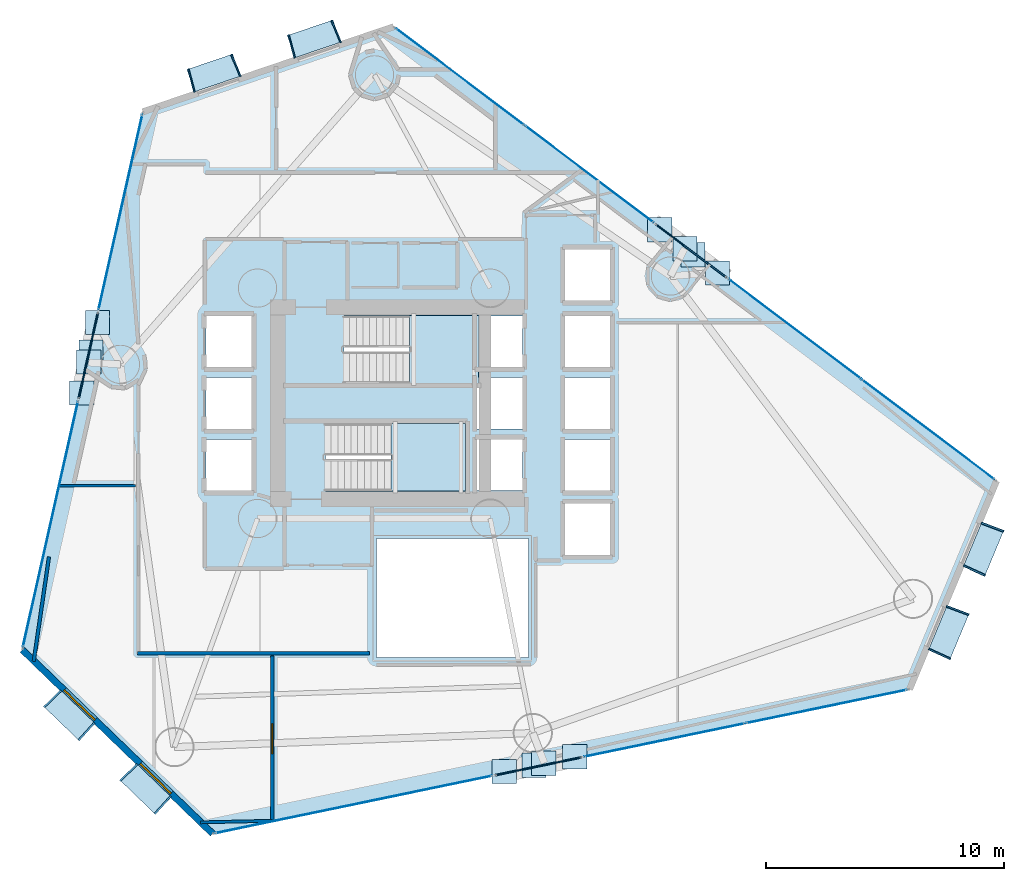
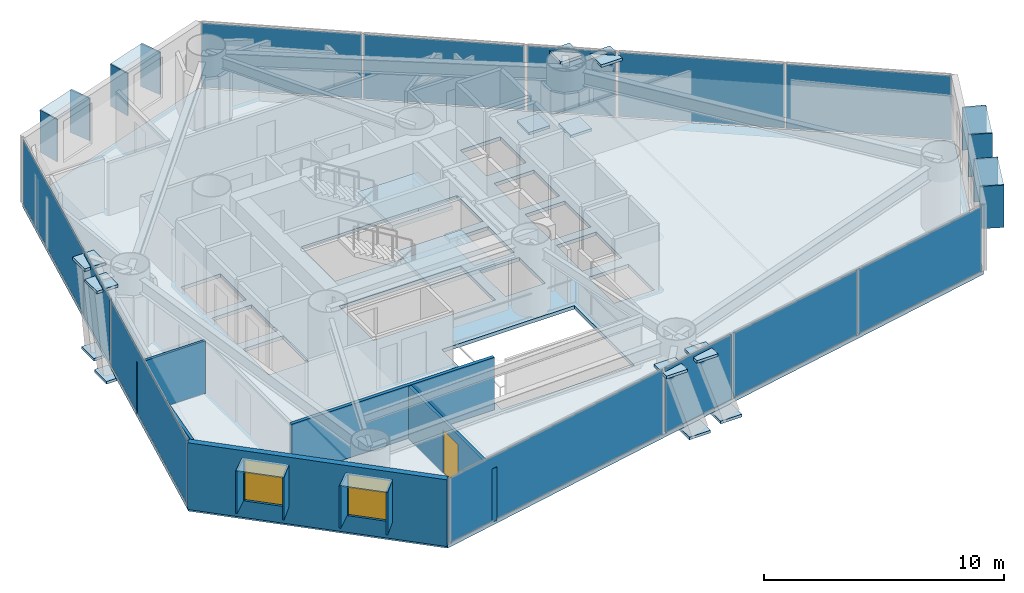
# One storey, part 15 of 22: 42 plates, 6 walls, 3 slabs, 2 windows, 1 door, 3 openings, 11 elements without a shape of their own.
"""IFC4 building model written with IfcOpenShell, lengths in metres."""

from ifc_helpers import new_model, si_unit, direction, frame, frame_2d, origin, origin_2d, place, context, subcontext, project, spatial, polyline, rectangle, outline, extrude, material, layer, layer_set, type_object, element, fill, aggregate, save


model = new_model("IFC4")

# Units and contexts
model_context = context("Model", 3, precision=1e-05, world=origin(), true_north=direction((0.0, 1.0)))
body_context = subcontext(model_context, "Body", "Model", "MODEL_VIEW")
ifc_project = project(units=[si_unit("LENGTHUNIT", "METRE"), si_unit("AREAUNIT", "SQUARE_METRE"), si_unit("VOLUMEUNIT", "CUBIC_METRE"), si_unit("PLANEANGLEUNIT", "RADIAN"), si_unit("MASSUNIT", "GRAM", prefix="KILO")], contexts=[model_context])

# Site, building, storey
site_placement = place(None, origin())
site = spatial("IfcSite", under=ifc_project, at=site_placement, CompositionType="ELEMENT")
building_placement = place(site_placement, origin())
building = spatial("IfcBuilding", under=site, at=building_placement, Name="Qianvela Tower", CompositionType="ELEMENT")
storey_placement = place(building_placement, frame((0.0, 0.0, 89.5)))
storey = spatial("IfcBuildingStorey", under=building, at=storey_placement, Name="L22", CompositionType="ELEMENT", Elevation=89.5)

# Curtain wall, plate
ifc_material_1 = material(Name="Anodised Architectural Aluminium and Insulated Spandrel Panel", Category="aluminium")
ifc_layer_1 = layer(ifc_material_1, 0.179931640625)
ifc_layer_set_1 = layer_set([ifc_layer_1], Name="Anodised Architectural Aluminium and Insulated Spandrel Panel")
curtain_wall_type_1 = type_object("IfcCurtainWallType", Name="CW-BRACEBAY", PredefinedType="USERDEFINED", material=ifc_layer_set_1)
curtain_wall_1_placement = place(storey_placement, origin())
curtain_wall_1 = element("IfcCurtainWall", 1, at=curtain_wall_1_placement, inside=storey, type_object=curtain_wall_type_1, Name="L22 CW-BRACEBAY Curtain Wall 02B", ObjectType="CURTAIN_WALL_SYSTEM", PredefinedType="USERDEFINED")
ifc_material_2 = material(Name="Insulated Aluminium Spandrel Panel with Mineral-Wool Backpan", Category="aluminium")
ifc_layer_2 = layer(ifc_material_2, 0.06005859375)
ifc_layer_set_2 = layer_set([ifc_layer_2], Name="Insulated Aluminium Spandrel Panel with Mineral-Wool Backpan")
plate_type_1 = type_object("IfcPlateType", Name="CW-BRACEBAY-PNL", PredefinedType="CURTAIN_PANEL", material=ifc_layer_set_2)
plate_1_placement = place(storey_placement, frame((46.857177734375, 35.117431640625, 0.06494140625), z_axis=(0.0, 0.0, 1.0), x_axis=(-0.798700992028, 0.601728115791, 0.0)))
plate_1 = element("IfcPlate", 2, at=plate_1_placement, type_object=plate_type_1, Name="CW-9 panel 1.1", PredefinedType="CURTAIN_PANEL", context=body_context, shape_type="SweptSolid", body=[
    extrude(rectangle(XDim=3.699951171875, YDim=0.06005859375, at=origin_2d()), origin(), (0.0, 0.0, 1.0), 3.27001953125),
])
aggregate(curtain_wall_1, [plate_1])

curtain_wall_2_placement = place(storey_placement, origin())
curtain_wall_2 = element("IfcCurtainWall", 3, at=curtain_wall_2_placement, inside=storey, type_object=curtain_wall_type_1, Name="L22 CW-BRACEBAY Curtain Wall 04B", ObjectType="CURTAIN_WALL_SYSTEM", PredefinedType="USERDEFINED")
plate_2_placement = place(storey_placement, frame((21.474365234375, 30.706298828125, 0.06494140625), z_axis=(0.0, 0.0, 1.0), x_axis=(-0.218823192416, -0.975764526134, 0.0)))
plate_2 = element("IfcPlate", 4, at=plate_2_placement, type_object=plate_type_1, Name="CW-9 panel 1.1", PredefinedType="CURTAIN_PANEL", context=body_context, shape_type="SweptSolid", body=[
    extrude(rectangle(XDim=3.68994140625, YDim=0.06005859375, at=origin_2d()), origin(), (0.0, 0.0, 1.0), 3.27001953125),
])
aggregate(curtain_wall_2, [plate_2])

curtain_wall_3_placement = place(storey_placement, origin())
curtain_wall_3 = element("IfcCurtainWall", 5, at=curtain_wall_3_placement, inside=storey, type_object=curtain_wall_type_1, Name="L22 CW-BRACEBAY Curtain Wall 06B", ObjectType="CURTAIN_WALL_SYSTEM", PredefinedType="USERDEFINED")
plate_3_placement = place(storey_placement, frame((40.420654296875, 13.41845703125, 0.06494140625), z_axis=(0.0, 0.0, 1.0), x_axis=(0.979177057652, 0.203008102716, 0.0)))
plate_3 = element("IfcPlate", 6, at=plate_3_placement, type_object=plate_type_1, Name="CW-9 panel 1.1", PredefinedType="CURTAIN_PANEL", context=body_context, shape_type="SweptSolid", body=[
    extrude(rectangle(XDim=3.68994140625, YDim=0.06005859375, at=origin_2d()), origin(), (0.0, 0.0, 1.0), 3.27001953125),
])
aggregate(curtain_wall_3, [plate_3])

# Curtain wall, plates
ifc_material_3 = material(Name="Anodised Architectural Aluminium and Low-E Glass", Category="aluminium")
ifc_layer_3 = layer(ifc_material_3, 0.179931640625)
ifc_layer_set_3 = layer_set([ifc_layer_3], Name="Anodised Architectural Aluminium and Low-E Glass")
curtain_wall_type_2 = type_object("IfcCurtainWallType", Name="CW-COLIV-Z12", PredefinedType="USERDEFINED", material=ifc_layer_set_3)
curtain_wall_4_placement = place(storey_placement, origin())
curtain_wall_4 = element("IfcCurtainWall", 7, at=curtain_wall_4_placement, inside=storey, type_object=curtain_wall_type_2, Name="L22 CW-COLIV-Z12 Curtain Wall 02A", ObjectType="CURTAIN_WALL_SYSTEM", PredefinedType="USERDEFINED")
ifc_material_4 = material(Name="Double-Silver Low-E Insulated Glass", Category="glass")
ifc_layer_4 = layer(ifc_material_4, 0.030029296875)
ifc_layer_set_4 = layer_set([ifc_layer_4], Name="Double-Silver Low-E Insulated Glass")
plate_type_2 = type_object("IfcPlateType", Name="CW-COLIV-Z12-PNL", PredefinedType="CURTAIN_PANEL", material=ifc_layer_set_4)
plate_4_placement = place(storey_placement, frame((56.8369140625, 27.59912109375, 0.06494140625), z_axis=(0.0, 0.0, 1.0), x_axis=(-0.798708986216, 0.601717504597, 0.0)))
plate_4 = element("IfcPlate", 8, at=plate_4_placement, type_object=plate_type_2, Name="CW-3 panel 1.1", PredefinedType="CURTAIN_PANEL", context=body_context, shape_type="SweptSolid", body=[
    extrude(rectangle(XDim=6.9599609375, YDim=0.030029296875, at=origin_2d()), origin(), (0.0, 0.0, 1.0), 3.27001953125),
])
plate_5_placement = place(storey_placement, frame((51.221923828125, 31.8291015625, 0.06494140625), z_axis=(0.0, 0.0, 1.0), x_axis=(-0.798708986216, 0.601717504597, 0.0)))
plate_5 = element("IfcPlate", 9, at=plate_5_placement, type_object=plate_type_2, Name="CW-3 panel 2.1", PredefinedType="CURTAIN_PANEL", context=body_context, shape_type="SweptSolid", body=[
    extrude(rectangle(XDim=6.9599609375, YDim=0.030029296875, at=origin_2d()), origin(), (0.0, 0.0, 1.0), 3.27001953125),
])
aggregate(curtain_wall_4, [plate_4, plate_5])

curtain_wall_5_placement = place(storey_placement, origin())
curtain_wall_5 = element("IfcCurtainWall", 10, at=curtain_wall_5_placement, inside=storey, type_object=curtain_wall_type_2, Name="L22 CW-COLIV-Z12 Curtain Wall 02C", ObjectType="CURTAIN_WALL_SYSTEM", PredefinedType="USERDEFINED")
plate_6_placement = place(storey_placement, frame((42.57470703125, 38.34375, 0.06494140625), z_axis=(0.0, 0.0, 1.0), x_axis=(-0.798712151136, 0.601713303516, 0.0)))
plate_6 = element("IfcPlate", 11, at=plate_6_placement, type_object=plate_type_2, Name="CW-3 panel 1.1", PredefinedType="CURTAIN_PANEL", context=body_context, shape_type="SweptSolid", body=[
    extrude(rectangle(XDim=6.75341796875, YDim=0.030029296875, at=origin_2d()), origin(), (0.0, 0.0, 1.0), 3.27001953125),
])
plate_7_placement = place(storey_placement, frame((37.124755859375, 42.449462890625, 0.06494140625), z_axis=(0.0, 0.0, 1.0), x_axis=(-0.798712151136, 0.601713303516, 0.0)))
plate_7 = element("IfcPlate", 12, at=plate_7_placement, type_object=plate_type_2, Name="CW-3 panel 2.1", PredefinedType="CURTAIN_PANEL", context=body_context, shape_type="SweptSolid", body=[
    extrude(rectangle(XDim=6.75341796875, YDim=0.030029296875, at=origin_2d()), origin(), (0.0, 0.0, 1.0), 3.27001953125),
])
aggregate(curtain_wall_5, [plate_6, plate_7])

# Curtain wall, plate
curtain_wall_6_placement = place(storey_placement, origin())
curtain_wall_6 = element("IfcCurtainWall", 13, at=curtain_wall_6_placement, inside=storey, type_object=curtain_wall_type_2, Name="L22 CW-COLIV-Z12 Curtain Wall 04A", ObjectType="CURTAIN_WALL_SYSTEM", PredefinedType="USERDEFINED")
plate_8_placement = place(storey_placement, frame((22.828857421875, 36.74609375, 0.06494140625), z_axis=(0.0, 0.0, 1.0), x_axis=(-0.218832470822, -0.975762445329, 0.0)))
plate_8 = element("IfcPlate", 14, at=plate_8_placement, type_object=plate_type_2, Name="CW-3 panel 1.1", PredefinedType="CURTAIN_PANEL", context=body_context, shape_type="SweptSolid", body=[
    extrude(rectangle(XDim=8.419921875, YDim=0.030029296875, at=origin_2d()), origin(), (0.0, 0.0, 1.0), 3.27001953125),
])
aggregate(curtain_wall_6, [plate_8])

curtain_wall_7_placement = place(storey_placement, origin())
curtain_wall_7 = element("IfcCurtainWall", 15, at=curtain_wall_7_placement, inside=storey, type_object=curtain_wall_type_2, Name="L22 CW-COLIV-Z12 Curtain Wall 04C", ObjectType="CURTAIN_WALL_SYSTEM", PredefinedType="USERDEFINED")
plate_9_placement = place(storey_placement, frame((19.88232421875, 23.607177734375, 0.06494140625), z_axis=(0.0, 0.0, 1.0), x_axis=(-0.218830479881, -0.975762891831, 0.0)))
plate_9 = element("IfcPlate", 16, at=plate_9_placement, type_object=plate_type_2, Name="CW-3 panel 1.1", PredefinedType="CURTAIN_PANEL", context=body_context, shape_type="SweptSolid", body=[
    extrude(rectangle(XDim=10.590576171875, YDim=0.030029296875, at=origin_2d()), origin(), (0.0, 0.0, 1.0), 3.27001953125),
])
aggregate(curtain_wall_7, [plate_9])

curtain_wall_8_placement = place(storey_placement, origin())
curtain_wall_8 = element("IfcCurtainWall", 17, at=curtain_wall_8_placement, inside=storey, type_object=curtain_wall_type_2, Name="L22 CW-COLIV-Z12 Curtain Wall 06A", ObjectType="CURTAIN_WALL_SYSTEM", PredefinedType="USERDEFINED")
plate_10_placement = place(storey_placement, frame((32.65576171875, 11.80859375, 0.06494140625), z_axis=(0.0, 0.0, 1.0), x_axis=(0.979177033374, 0.203008219816, 0.0)))
plate_10 = element("IfcPlate", 18, at=plate_10_placement, type_object=plate_type_2, Name="CW-3 panel 1.1", PredefinedType="CURTAIN_PANEL", context=body_context, shape_type="SweptSolid", body=[
    extrude(rectangle(XDim=11.89990234375, YDim=0.030029296875, at=origin_2d()), origin(), (0.0, 0.0, 1.0), 3.27001953125),
])
aggregate(curtain_wall_8, [plate_10])

# Curtain wall, plates
curtain_wall_9_placement = place(storey_placement, origin())
curtain_wall_9 = element("IfcCurtainWall", 19, at=curtain_wall_9_placement, inside=storey, type_object=curtain_wall_type_2, Name="L22 CW-COLIV-Z12 Curtain Wall 06C", ObjectType="CURTAIN_WALL_SYSTEM", PredefinedType="USERDEFINED")
plate_11_placement = place(storey_placement, frame((45.735107421875, 14.520263671875, 0.06494140625), z_axis=(0.0, 0.0, 1.0), x_axis=(0.979177899565, 0.203004041838, 0.0)))
plate_11 = element("IfcPlate", 20, at=plate_11_placement, type_object=plate_type_2, Name="CW-3 panel 1.1", PredefinedType="CURTAIN_PANEL", context=body_context, shape_type="SweptSolid", body=[
    extrude(rectangle(XDim=6.89501953125, YDim=0.030029296875, at=origin_2d()), origin(), (0.0, 0.0, 1.0), 3.27001953125),
])
plate_12_placement = place(storey_placement, frame((52.55517578125, 15.934326171875, 0.06494140625), z_axis=(0.0, 0.0, 1.0), x_axis=(0.979177899565, 0.203004041838, 0.0)))
plate_12 = element("IfcPlate", 21, at=plate_12_placement, type_object=plate_type_2, Name="CW-3 panel 2.1", PredefinedType="CURTAIN_PANEL", context=body_context, shape_type="SweptSolid", body=[
    extrude(rectangle(XDim=6.89501953125, YDim=0.030029296875, at=origin_2d()), origin(), (0.0, 0.0, 1.0), 3.27001953125),
])
aggregate(curtain_wall_9, [plate_11, plate_12])

# Plates
ifc_material_5 = material(Name="Steel Q420GJC", Category="steel")
ifc_layer_5 = layer(ifc_material_5, 0.139892578125)
ifc_layer_set_5 = layer_set([ifc_layer_5], Name="Steel Q420GJC")
plate_type_3 = type_object("IfcPlateType", Name="PT-GUSSET-NODE-140", PredefinedType="USERDEFINED", material=ifc_layer_set_5)
for number, where, z_axis, x_axis, name in (
    (22, (46.937744140625, 34.95654296875, -0.66357421875), (0.0, 0.0, 1.0), (1.0, 0.0, 0.0), "L22 Node Gusset Plate A"),
    (23, (47.962890625, 34.18408203125, 3.03955078125), (0.0, 0.0, 1.0), (1.0, 0.0, 0.0), "L22 Node Gusset Plate B"),
    (24, (45.53759765625, 36.011474609375, -0.6630859375), (0.0, 0.0, 1.0), (1.0, 0.0, 0.0), "L22 Node Gusset Plate A"),
    (25, (46.603515625, 35.208251953125, 3.0390625), (0.0, 0.0, 1.0), (1.0, 0.0, 0.0), "L22 Node Gusset Plate B"),
    (26, (21.58740234375, 30.845458984375, -0.66357421875), (0.0, 0.0, 1.0), (1.0, 0.0, 0.0), "L22 Node Gusset Plate A"),
    (27, (21.868408203125, 32.096923828125, 3.03955078125), (0.0, 0.0, 1.0), (1.0, 0.0, 0.0), "L22 Node Gusset Plate B"),
    (28, (21.2041015625, 29.134765625, -0.6630859375), (0.0, 0.0, 1.0), (1.0, 0.0, 0.0), "L22 Node Gusset Plate A"),
    (29, (21.49560546875, 30.43603515625, 3.0390625), (0.0, 0.0, 1.0), (1.0, 0.0, 0.0), "L22 Node Gusset Plate B"),
    (30, (40.243408203125, 13.46337890625, -0.66357421875), (0.0, 0.0, 1.0), (1.0, 0.0, 0.0), "L22 Node Gusset Plate A"),
    (31, (38.98779296875, 13.203125, 3.03955078125), (0.0, 0.0, 1.0), (1.0, 0.0, 0.0), "L22 Node Gusset Plate B"),
    (32, (41.9599609375, 13.8193359375, -0.6630859375), (0.0, 0.0, 1.0), (1.0, 0.0, 0.0), "L22 Node Gusset Plate A"),
    (33, (40.654541015625, 13.548583984375, 3.0390625), (0.0, 0.0, 1.0), (1.0, 0.0, 0.0), "L22 Node Gusset Plate B"),
):
    element("IfcPlate", number, at=place(storey_placement, frame(where, z_axis=z_axis, x_axis=x_axis)), inside=storey, type_object=plate_type_3, Name=name, ObjectType="GUSSET_PLATE", PredefinedType="USERDEFINED", context=body_context, shape_type="SweptSolid", body=[
        extrude(rectangle(XDim=1.02001953125, YDim=1.02001953125, at=origin_2d()), origin(), (0.0, 0.0, 1.0), 0.139892578125),
    ])

# Slab
ifc_material_6 = material(Name="Concrete C40", Category="concrete")
ifc_layer_6 = layer(ifc_material_6, 0.179931640625)
ifc_layer_set_6 = layer_set([ifc_layer_6], Name="Concrete C40")
slab_type_1 = type_object("IfcSlabType", Name="SL-FLOOR-180", PredefinedType="FLOOR", material=ifc_layer_set_6)
slab_1_placement = place(storey_placement, frame((0.0, 0.0, -0.179931640625)))
element("IfcSlab", 34, at=slab_1_placement, inside=storey, type_object=slab_type_1, Name="L22 Composite Structural Floor Slab", PredefinedType="FLOOR", context=body_context, shape_type="SweptSolid", body=[
    extrude(outline(polyline([(56.048583984375, 16.658447265625), (59.71240234375, 25.432861328125), (34.331787109375, 44.553466796875), (23.7763671875, 40.97119140625), (18.697265625, 18.322998046875), (26.712158203125, 10.576416015625), (56.048583984375, 16.658447265625)]), holes=[polyline([(40.0, 23.0), (33.60009765625, 23.0), (33.60009765625, 18.0), (40.0, 18.0), (40.0, 23.0)]), polyline([(28.360107421875, 25.02001953125), (28.360107421875, 27.179931640625), (26.43994140625, 27.179931640625), (26.43994140625, 25.02001953125), (28.360107421875, 25.02001953125)]), polyline([(37.35009765625, 25.0), (37.35009765625, 27.860107421875), (31.469970703125, 27.860107421875), (31.469970703125, 25.0), (37.35009765625, 25.0)]), polyline([(28.360107421875, 27.6201171875), (28.360107421875, 29.780029296875), (26.43994140625, 29.780029296875), (26.43994140625, 27.6201171875), (28.360107421875, 27.6201171875)]), polyline([(37.89990234375, 32.3798828125), (37.89990234375, 32.39990234375), (32.25, 32.39990234375), (32.25, 29.5400390625), (37.840087890625, 29.5400390625), (37.840087890625, 27.6201171875), (39.760009765625, 27.6201171875), (39.760009765625, 29.780029296875), (37.89990234375, 29.780029296875), (37.89990234375, 30.219970703125), (39.760009765625, 30.219970703125), (39.760009765625, 32.3798828125), (37.89990234375, 32.3798828125)]), polyline([(28.360107421875, 30.219970703125), (28.360107421875, 32.3798828125), (26.43994140625, 32.3798828125), (26.43994140625, 30.219970703125), (28.360107421875, 30.219970703125)]), polyline([(43.4599609375, 24.47998046875), (41.5400390625, 24.47998046875), (41.5400390625, 22.320068359375), (43.4599609375, 22.320068359375), (43.4599609375, 24.47998046875)]), polyline([(39.760009765625, 25.02001953125), (39.760009765625, 27.179931640625), (37.840087890625, 27.179931640625), (37.840087890625, 25.02001953125), (39.760009765625, 25.02001953125)]), polyline([(43.4599609375, 25.02001953125), (43.4599609375, 27.179931640625), (41.5400390625, 27.179931640625), (41.5400390625, 25.02001953125), (43.4599609375, 25.02001953125)]), polyline([(43.4599609375, 27.6201171875), (43.4599609375, 29.780029296875), (41.5400390625, 29.780029296875), (41.5400390625, 27.6201171875), (43.4599609375, 27.6201171875)]), polyline([(43.4599609375, 30.219970703125), (43.4599609375, 32.3798828125), (41.5400390625, 32.3798828125), (41.5400390625, 30.219970703125), (43.4599609375, 30.219970703125)]), polyline([(43.4599609375, 33.02001953125), (43.4599609375, 35.179931640625), (41.5400390625, 35.179931640625), (41.5400390625, 33.02001953125), (43.4599609375, 33.02001953125)])]), origin(), (0.0, 0.0, 1.0), 0.179931640625),
])

# Stair, slab
ifc_material_7 = material(Name="Concrete C40", Category="concrete")
stair_type = type_object("IfcStairType", Name="ST-DOGLEG-1350-R168-N22", PredefinedType="HALF_TURN_STAIR", material=ifc_material_7)
stair_1_placement = place(storey_placement, origin())
stair_1 = element("IfcStair", 35, at=stair_1_placement, inside=storey, type_object=stair_type, Name="L22 Smoke-Proof Core Stair ST-1", PredefinedType="HALF_TURN_STAIR")
ifc_material_8 = material(Name="Concrete C40", Category="concrete")
ifc_layer_7 = layer(ifc_material_8, 0.199951171875)
ifc_layer_set_7 = layer_set([ifc_layer_7], Name="Concrete C40")
slab_type_2 = type_object("IfcSlabType", Name="SL-STAIR-LANDING-200", PredefinedType="LANDING", material=ifc_layer_set_7)
slab_2_placement = place(storey_placement, frame((0.0, 0.0, 1.64990234375)))
slab_2 = element("IfcSlab", 36, at=slab_2_placement, type_object=slab_type_2, Name="ST-1 landing 1", PredefinedType="LANDING", context=body_context, shape_type="SweptSolid", body=[
    extrude(outline(polyline([(35.0, 29.5400390625), (37.89990234375, 29.5400390625), (37.89990234375, 32.39990234375), (35.0, 32.39990234375), (35.0, 29.5400390625)])), origin(), (0.0, 0.0, 1.0), 0.2001953125),
])
aggregate(stair_1, [slab_2])

stair_2_placement = place(storey_placement, origin())
stair_2 = element("IfcStair", 37, at=stair_2_placement, inside=storey, type_object=stair_type, Name="L22 Smoke-Proof Core Stair ST-2", PredefinedType="HALF_TURN_STAIR")
slab_3_placement = place(storey_placement, frame((0.0, 0.0, 1.64990234375)))
slab_3 = element("IfcSlab", 38, at=slab_3_placement, type_object=slab_type_2, Name="ST-2 landing 1", PredefinedType="LANDING", context=body_context, shape_type="SweptSolid", body=[
    extrude(outline(polyline([(34.219970703125, 25.0), (37.35009765625, 25.0), (37.35009765625, 27.860107421875), (34.219970703125, 27.860107421875), (34.219970703125, 25.0)])), origin(), (0.0, 0.0, 1.0), 0.2001953125),
])
aggregate(stair_2, [slab_3])

# Plates
ifc_material_9 = material(Name="Vitrified Architectural Terracotta Panel", Category="masonry")
ifc_layer_8 = layer(ifc_material_9, 0.06005859375)
ifc_layer_set_8 = layer_set([ifc_layer_8], Name="Vitrified Architectural Terracotta Panel")
plate_type_4 = type_object("IfcPlateType", Name="TERRACOTTA-SUNSHADE-HOOD-FOLD-A", PredefinedType="USERDEFINED", material=ifc_layer_set_8)
for number, where, z_axis, x_axis, name in (
    (39, (30.97412109375, 44.042236328125, 2.9599609375), (0.0, 0.0, 1.0), (-0.946952006992, -0.321375009069, 0.0), "L22 Terracotta Sunshade Hood FOLD-A"),
    (40, (26.751708984375, 42.609375, 2.9599609375), (0.0, 0.0, 1.0), (-0.946952006992, -0.321375009069, 0.0), "L22 Terracotta Sunshade Hood FOLD-A"),
):
    element("IfcPlate", number, at=place(storey_placement, frame(where, z_axis=z_axis, x_axis=x_axis)), inside=storey, type_object=plate_type_4, Name=name, ObjectType="SUNSHADE", PredefinedType="USERDEFINED", context=body_context, shape_type="SweptSolid", body=[
        extrude(rectangle(XDim=2.0400390625, YDim=0.989990234375, at=origin_2d()), origin(), (0.0, 0.0, 1.0), 0.06005859375),
    ])
ifc_material_10 = material(Name="Vitrified Architectural Terracotta Panel", Category="masonry")
ifc_layer_9 = layer(ifc_material_10, 0.070068359375)
ifc_layer_set_9 = layer_set([ifc_layer_9], Name="Vitrified Architectural Terracotta Panel")
plate_type_5 = type_object("IfcPlateType", Name="TERRACOTTA-SUNSHADE-HOOD-FOLD-C", PredefinedType="USERDEFINED", material=ifc_layer_set_9)
for number, where, z_axis, x_axis, name in (
    (41, (57.69677734375, 19.0615234375, 2.9599609375), (0.0, 0.0, 1.0), (0.385308602228, 0.92278777682, 0.0), "L22 Terracotta Sunshade Hood FOLD-C"),
    (42, (59.162109375, 22.5712890625, 2.9599609375), (0.0, 0.0, 1.0), (0.385308602228, 0.92278777682, 0.0), "L22 Terracotta Sunshade Hood FOLD-C"),
    (43, (20.688232421875, 15.5712890625, 2.9599609375), (0.0, 0.0, 1.0), (0.719030565175, -0.694978450273, 0.0), "L22 Terracotta Sunshade Hood FOLD-C"),
    (44, (23.894287109375, 12.472412109375, 2.9599609375), (0.0, 0.0, 1.0), (0.719030565175, -0.694978450273, 0.0), "L22 Terracotta Sunshade Hood FOLD-C"),
):
    element("IfcPlate", number, at=place(storey_placement, frame(where, z_axis=z_axis, x_axis=x_axis)), inside=storey, type_object=plate_type_5, Name=name, ObjectType="SUNSHADE", PredefinedType="USERDEFINED", context=body_context, shape_type="SweptSolid", body=[
        extrude(rectangle(XDim=2.0400390625, YDim=0.989990234375, at=origin_2d()), origin(), (0.0, 0.0, 1.0), 0.06005859375),
    ])
ifc_material_11 = material(Name="Vitrified Architectural Terracotta Side Fin Panel", Category="masonry")
ifc_layer_10 = layer(ifc_material_11, 0.06494140625)
ifc_layer_set_10 = layer_set([ifc_layer_10], Name="Vitrified Architectural Terracotta Side Fin Panel")
plate_type_6 = type_object("IfcPlateType", Name="TERRACOTTA-SUNSHADE-STRUT-FOLD-A", PredefinedType="USERDEFINED", material=ifc_layer_set_10)
for number, where, z_axis, x_axis, name in (
    (45, (31.91162109375, 44.3603515625, 0.85009765625), (0.0, 0.0, 1.0), (-0.922227292114, -0.386648188512, 0.0), "L22 Terracotta Sunshade Side Fin HL FOLD-A"),
    (46, (30.03662109375, 43.72412109375, 0.85009765625), (0.0, 0.0, 1.0), (-0.967063266879, -0.254536122887, 0.0), "L22 Terracotta Sunshade Side Fin HR FOLD-A"),
    (47, (27.689208984375, 42.927490234375, 0.85009765625), (0.0, 0.0, 1.0), (-0.922227292114, -0.386648188512, 0.0), "L22 Terracotta Sunshade Side Fin HL FOLD-A"),
    (48, (25.814208984375, 42.291259765625, 0.85009765625), (0.0, 0.0, 1.0), (-0.967063266879, -0.254536122887, 0.0), "L22 Terracotta Sunshade Side Fin HR FOLD-A"),
):
    element("IfcPlate", number, at=place(storey_placement, frame(where, z_axis=z_axis, x_axis=x_axis)), inside=storey, type_object=plate_type_6, Name=name, ObjectType="SUNSHADE", PredefinedType="USERDEFINED", context=body_context, shape_type="SweptSolid", body=[
        extrude(rectangle(XDim=0.06494140625, YDim=1.010009765625, at=origin_2d()), origin(), (0.0, 0.0, 1.0), 2.159912109375),
    ])
ifc_material_12 = material(Name="Vitrified Architectural Terracotta Side Fin Panel", Category="masonry")
ifc_layer_11 = layer(ifc_material_12, 0.074951171875)
ifc_layer_set_11 = layer_set([ifc_layer_11], Name="Vitrified Architectural Terracotta Side Fin Panel")
plate_type_7 = type_object("IfcPlateType", Name="TERRACOTTA-SUNSHADE-STRUT-FOLD-C", PredefinedType="USERDEFINED", material=ifc_layer_set_11)
for number, where, z_axis, x_axis, name in (
    (49, (57.315185546875, 18.14794921875, 0.85009765625), (0.0, 0.0, 1.0), (0.417278711613, 0.908778563147, 0.0), "L22 Terracotta Sunshade Side Fin HL FOLD-C"),
    (50, (58.078125, 19.97509765625, 0.85009765625), (0.0, 0.0, 1.0), (0.352869053664, 0.935672715732, 0.0), "L22 Terracotta Sunshade Side Fin HR FOLD-C"),
    (51, (58.78076171875, 21.65771484375, 0.85009765625), (0.0, 0.0, 1.0), (0.417278711613, 0.908778563147, 0.0), "L22 Terracotta Sunshade Side Fin HL FOLD-C"),
    (52, (59.543701171875, 23.48486328125, 0.85009765625), (0.0, 0.0, 1.0), (0.352869053664, 0.935672715732, 0.0), "L22 Terracotta Sunshade Side Fin HR FOLD-C"),
    (53, (19.976318359375, 16.25927734375, 0.85009765625), (0.0, 0.0, 1.0), (0.694338153049, -0.719648893017, 0.0), "L22 Terracotta Sunshade Side Fin HL FOLD-C"),
    (54, (21.400146484375, 14.88330078125, 0.85009765625), (0.0, 0.0, 1.0), (0.742846949316, -0.669461283341, 0.0), "L22 Terracotta Sunshade Side Fin HR FOLD-C"),
    (55, (23.182373046875, 13.160400390625, 0.85009765625), (0.0, 0.0, 1.0), (0.694338153049, -0.719648893017, 0.0), "L22 Terracotta Sunshade Side Fin HL FOLD-C"),
    (56, (24.606201171875, 11.784423828125, 0.85009765625), (0.0, 0.0, 1.0), (0.742846949316, -0.669461283341, 0.0), "L22 Terracotta Sunshade Side Fin HR FOLD-C"),
):
    element("IfcPlate", number, at=place(storey_placement, frame(where, z_axis=z_axis, x_axis=x_axis)), inside=storey, type_object=plate_type_7, Name=name, ObjectType="SUNSHADE", PredefinedType="USERDEFINED", context=body_context, shape_type="SweptSolid", body=[
        extrude(rectangle(XDim=0.074951171875, YDim=1.010009765625, at=origin_2d()), origin(), (0.0, 0.0, 1.0), 2.159912109375),
    ])

# Wall, openings, windows
ifc_material_13 = material(Name="Terracotta Cladding on Concrete C40", Category="masonry")
ifc_layer_12 = layer(ifc_material_13, 0.280029296875)
ifc_layer_set_12 = layer_set([ifc_layer_12], Name="Terracotta Cladding on Concrete C40")
wall_type_1 = type_object("IfcWallType", Name="TERRACOTTA-WALL-280", PredefinedType="SOLIDWALL", material=ifc_layer_set_12)
wall_1_placement = place(storey_placement, frame((18.697265625, 18.322998046875, 0.0), z_axis=(0.0, 0.0, 1.0), x_axis=(0.71903981558, -0.694968879599, 0.0)))
wall_1 = element("IfcWall", 57, at=wall_1_placement, inside=storey, type_object=wall_type_1, Name="L22 Terracotta Chamfer Facet Wall 5", PredefinedType="SOLIDWALL", context=body_context, shape_type="SweptSolid", body=[
    extrude(rectangle(XDim=11.146728515625, YDim=0.280029296875, at=frame_2d((5.5732421875, 0.0))), origin(), (0.0, 0.0, 1.0), 3.39990234375),
])
opening_1_placement = place(wall_1_placement, frame((2.444091796875, 0.0, 0.85009765625)))
opening_1 = element("IfcOpeningElement", 58, at=opening_1_placement, cuts=wall_1, Name="Opening W-01", PredefinedType="OPENING", context=body_context, shape_type="SweptSolid", body=[
    extrude(rectangle(XDim=1.800048828125, YDim=2.10009765625, at=frame_2d((0.89990234375, 1.050048828125))), frame((0.0, 0.14990234375, 0.0), z_axis=(0.0, -1.0, 0.0), x_axis=(1.0, 0.0, 0.0)), (0.0, 0.0, 1.0), 0.300048828125),
])
opening_2_placement = place(wall_1_placement, frame((6.90283203125, 0.0, 0.85009765625)))
opening_2 = element("IfcOpeningElement", 59, at=opening_2_placement, cuts=wall_1, Name="Opening W-01", PredefinedType="OPENING", context=body_context, shape_type="SweptSolid", body=[
    extrude(rectangle(XDim=1.800048828125, YDim=2.10009765625, at=frame_2d((0.89990234375, 1.050048828125))), frame((0.0, 0.14990234375, 0.0), z_axis=(0.0, -1.0, 0.0), x_axis=(1.0, 0.0, 0.0)), (0.0, 0.0, 1.0), 0.300048828125),
])
ifc_material_14 = material(Name="Thermally Broken Aluminium and Low-E Glass", Category="aluminium")
window_type = type_object("IfcWindowType", Name="WIN-TC-1800x2100", PartitioningType="DOUBLE_PANEL_VERTICAL", PredefinedType="WINDOW", material=ifc_material_14)
window_1_placement = place(opening_1_placement, origin())
window_1 = element("IfcWindow", 60, at=window_1_placement, inside=storey, type_object=window_type, Name="L22 Chamfer Facet Window 5.1", OverallHeight=2.10009765625, OverallWidth=1.800048828125, PartitioningType="SINGLE_PANEL", PredefinedType="WINDOW", context=body_context, shape_type="SweptSolid", body=[
    extrude(rectangle(XDim=1.800048828125, YDim=2.10009765625, at=frame_2d((0.89990234375, 1.050048828125))), frame((0.0, 0.030029296875, 0.0), z_axis=(0.0, -1.0, 0.0), x_axis=(1.0, 0.0, 0.0)), (0.0, 0.0, 1.0), 0.06005859375),
])
fill(opening_1, window_1)
window_2_placement = place(opening_2_placement, origin())
window_2 = element("IfcWindow", 61, at=window_2_placement, inside=storey, type_object=window_type, Name="L22 Chamfer Facet Window 5.2", OverallHeight=2.10009765625, OverallWidth=1.800048828125, PartitioningType="SINGLE_PANEL", PredefinedType="WINDOW", context=body_context, shape_type="SweptSolid", body=[
    extrude(rectangle(XDim=1.800048828125, YDim=2.10009765625, at=frame_2d((0.89990234375, 1.050048828125))), frame((0.0, 0.030029296875, 0.0), z_axis=(0.0, -1.0, 0.0), x_axis=(1.0, 0.0, 0.0)), (0.0, 0.0, 1.0), 0.06005859375),
])
fill(opening_2, window_2)

# Walls
ifc_material_15 = material(Name="Fire-Rated Gypsum and Concrete Block", Category="concrete")
ifc_layer_13 = layer(ifc_material_15, 0.159912109375)
ifc_layer_set_13 = layer_set([ifc_layer_13], Name="Fire-Rated Gypsum and Concrete Block")
wall_type_2 = type_object("IfcWallType", Name="WT-CORR-160", PredefinedType="PARTITIONING", material=ifc_layer_set_13)
wall_2_placement = place(storey_placement, frame((33.320068359375, 18.180908203125, 0.0), z_axis=(0.0, 0.0, 1.0), x_axis=(-1.0, 0.0, 0.0)))
element("IfcWall", 62, at=wall_2_placement, inside=storey, type_object=wall_type_2, Name="L22 Partition 50", PredefinedType="PARTITIONING", context=body_context, shape_type="SweptSolid", body=[
    extrude(rectangle(XDim=9.77001953125, YDim=0.159912109375, at=frame_2d((4.885009765625, 0.0))), origin(), (0.0, 0.0, 1.0), 2.677978515625),
])
ifc_material_16 = material(Name="Insulated Gypsum Stud Partition")
ifc_layer_14 = layer(ifc_material_16, 0.1201171875)
ifc_layer_set_14 = layer_set([ifc_layer_14], Name="Insulated Gypsum Stud Partition")
wall_type_3 = type_object("IfcWallType", Name="WT-PART-120", PredefinedType="PARTITIONING", material=ifc_layer_set_14)
wall_3_placement = place(storey_placement, frame((29.36865234375, 11.126953125, 0.0), z_axis=(0.0, 0.0, 1.0), x_axis=(-0.999755221148, -0.022124596872, 0.0)))
element("IfcWall", 63, at=wall_3_placement, inside=storey, type_object=wall_type_3, Name="L22 Partition 56", PredefinedType="PARTITIONING", context=body_context, shape_type="SweptSolid", body=[
    extrude(rectangle(XDim=3.177978515625, YDim=0.1201171875, at=frame_2d((1.5888671875, 0.0))), origin(), (0.0, 0.0, 1.0), 2.719970703125),
])
wall_4_placement = place(storey_placement, frame((20.2255859375, 25.22705078125, 0.0), z_axis=(0.0, 0.0, 1.0), x_axis=(1.0, 0.0, 0.0)))
element("IfcWall", 64, at=wall_4_placement, inside=storey, type_object=wall_type_3, Name="L22 Partition 59", PredefinedType="PARTITIONING", context=body_context, shape_type="SweptSolid", body=[
    extrude(rectangle(XDim=3.244384765625, YDim=0.1201171875, at=frame_2d((1.6220703125, 0.0))), origin(), (0.0, 0.0, 1.0), 2.677978515625),
])

# Wall, opening, door
ifc_material_17 = material(Name="Acoustic Double Gypsum Stud Partition")
ifc_layer_15 = layer(ifc_material_17, 0.139892578125)
ifc_layer_set_15 = layer_set([ifc_layer_15], Name="Acoustic Double Gypsum Stud Partition")
wall_type_4 = type_object("IfcWallType", Name="WT-ROOM-140", PredefinedType="PARTITIONING", material=ifc_layer_set_15)
wall_5_placement = place(storey_placement, frame((29.22705078125, 18.070068359375, 0.0), z_axis=(0.0, 0.0, 1.0), x_axis=(0.0, -1.0, 0.0)))
wall_5 = element("IfcWall", 65, at=wall_5_placement, inside=storey, type_object=wall_type_4, Name="L22 Partition 55", PredefinedType="PARTITIONING", context=body_context, shape_type="SweptSolid", body=[
    extrude(rectangle(XDim=6.992431640625, YDim=0.139892578125, at=frame_2d((3.49609375, 0.0))), origin(), (0.0, 0.0, 1.0), 2.677978515625),
])
opening_3_placement = place(wall_5_placement, frame((2.87109375, 0.0, 0.0)))
opening_3 = element("IfcOpeningElement", 66, at=opening_3_placement, cuts=wall_5, Name="Opening D-LG1", PredefinedType="OPENING", context=body_context, shape_type="SweptSolid", body=[
    extrude(rectangle(XDim=1.25, YDim=2.199951171875, at=frame_2d((0.625, 1.10009765625))), frame((0.0, 0.079833984375, 0.0), z_axis=(0.0, -1.0, 0.0), x_axis=(1.0, 0.0, 0.0)), (0.0, 0.0, 1.0), 0.159912109375),
])
ifc_material_18 = material(Name="Anodised Aluminium Acoustic Glass Door", Category="aluminium")
door_type = type_object("IfcDoorType", Name="DT-LOUNGE-1250", OperationType="NOTDEFINED", PredefinedType="DOOR", material=ifc_material_18)
door_placement = place(opening_3_placement, origin())
door = element("IfcDoor", 67, at=door_placement, inside=storey, type_object=door_type, Name="L22 Door Academic Cellular Office L22-02 to Quiet Desk Workspace L22-01", OperationType="SINGLE_SWING_LEFT", OverallHeight=2.199951171875, OverallWidth=1.25, PredefinedType="DOOR", context=body_context, shape_type="SweptSolid", body=[
    extrude(rectangle(XDim=1.25, YDim=2.199951171875, at=frame_2d((0.625, 1.10009765625))), frame((0.0, 0.02490234375, 0.0), z_axis=(0.0, -1.0, 0.0), x_axis=(1.0, 0.0, 0.0)), (0.0, 0.0, 1.0), 0.050048828125),
])
fill(opening_3, door)

# Wall
wall_6_placement = place(storey_placement, frame((19.177978515625, 17.834716796875, 0.0), z_axis=(0.0, 0.0, 1.0), x_axis=(0.144487187734, 0.989506671317, 0.0)))
element("IfcWall", 68, at=wall_6_placement, inside=storey, type_object=wall_type_4, Name="L22 Partition 58 seg 1", PredefinedType="PARTITIONING", context=body_context, shape_type="SweptSolid", body=[
    extrude(rectangle(XDim=4.447265625, YDim=0.139892578125, at=frame_2d((2.2236328125, 0.0))), origin(), (0.0, 0.0, 1.0), 2.719970703125),
])

save(model, "model.ifc")
